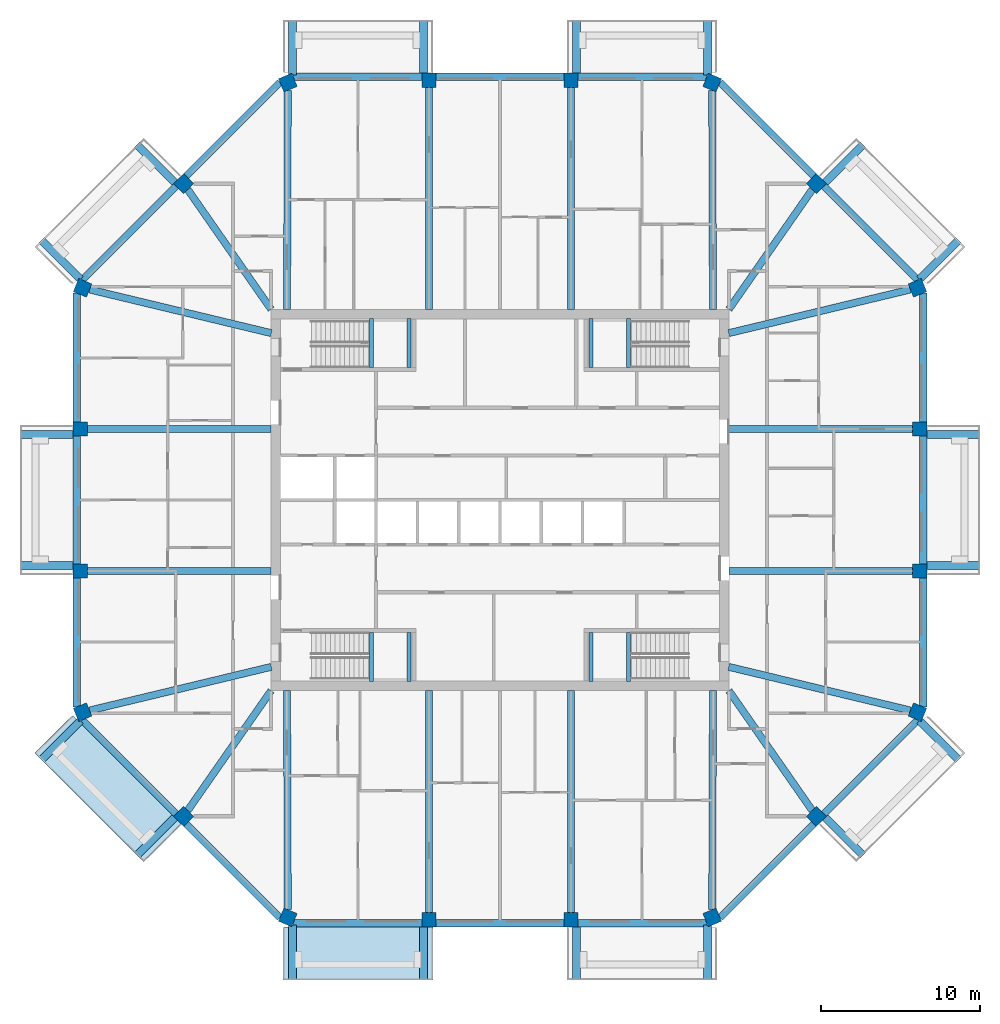
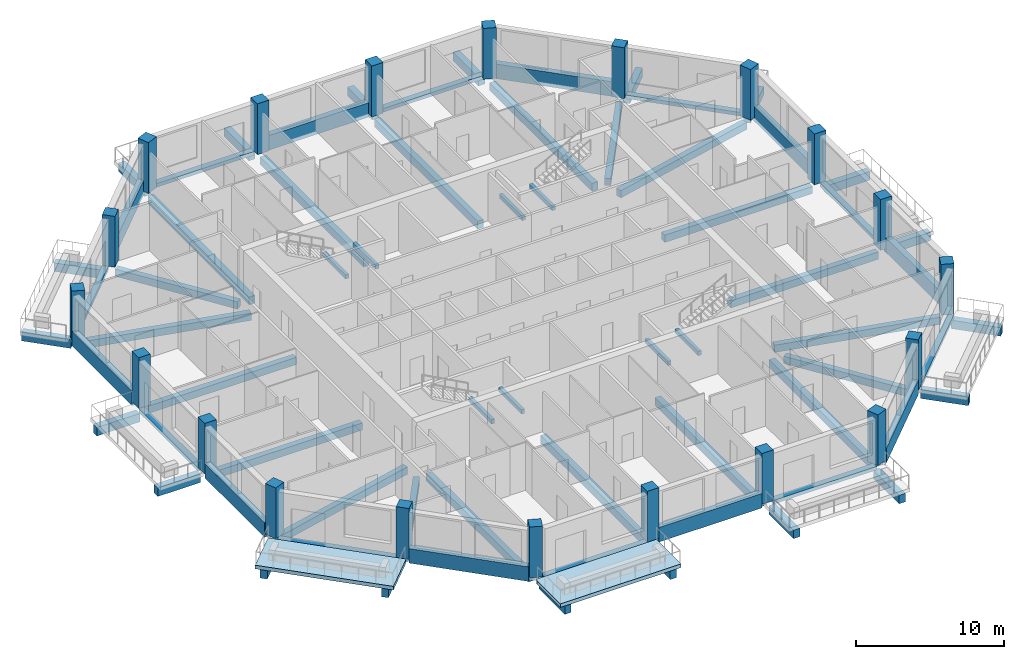
# One storey, part 1 of 13: 68 beams, 20 columns, 2 slabs.
"""IFC4 building model written with IfcOpenShell, lengths in metres."""

from ifc_helpers import new_model, si_unit, direction, frame, origin, origin_2d, place, context, subcontext, project, spatial, polyline, rectangle, outline, extrude, material, layer, layer_set, material_profile, profile_set, type_object, element, save


model = new_model("IFC4")

# Units and contexts
model_context = context("Model", 3, precision=1e-05, world=origin(), true_north=direction((0.0, 1.0)))
body_context = subcontext(model_context, "Body", "Model", "MODEL_VIEW")
ifc_project = project(units=[si_unit("LENGTHUNIT", "METRE"), si_unit("AREAUNIT", "SQUARE_METRE"), si_unit("VOLUMEUNIT", "CUBIC_METRE"), si_unit("PLANEANGLEUNIT", "RADIAN"), si_unit("MASSUNIT", "GRAM", prefix="KILO")], contexts=[model_context])

# Site, building, storey
site_placement = place(None, origin())
site = spatial("IfcSite", under=ifc_project, at=site_placement, CompositionType="ELEMENT")
building_placement = place(site_placement, origin())
building = spatial("IfcBuilding", under=site, at=building_placement, Name="Msitu Wima Residences", CompositionType="ELEMENT")
storey_placement = place(building_placement, frame((0.0, 0.0, 281.10009765625)))
storey = spatial("IfcBuildingStorey", under=building, at=storey_placement, Name="L65", CompositionType="ELEMENT", Elevation=281.10009765625)

# Columns
ifc_material_1 = material(Name="Concrete C50/60", Category="concrete")
ifc_material_profile_1 = material_profile(ifc_material_1, rectangle(XDim=0.89990234375, YDim=0.89990234375, at=origin_2d()), Name="RC 900x900")
ifc_profile_set_1 = profile_set([ifc_material_profile_1], Name="Concrete C50/60")
column_type = type_object("IfcColumnType", Name="Column RC 900x900 Concrete C50/60", PredefinedType="COLUMN", material=ifc_profile_set_1)
for number, where, z_axis, x_axis, name in (
    (1, (26.261962890625, -13.3486328125, 0.0), (0.0, 0.0, 1.0), (0.382683496864, 0.923879505795, 0.0), "Column L65 C-E0"),
    (2, (26.39990234375, -4.46875, 0.0), (0.0, 0.0, 1.0), (0.0, 1.0, 0.0), "Column L65 C-E1"),
    (3, (26.39990234375, 4.46875, 0.0), (0.0, 0.0, 1.0), (0.0, 1.0, 0.0), "Column L65 C-E2"),
    (4, (26.261962890625, 13.3486328125, 0.0), (0.0, 0.0, 1.0), (-0.382683496864, 0.923879505795, 0.0), "Column L65 C-NE0"),
    (5, (19.90283203125, 19.90283203125, 0.0), (0.0, 0.0, 1.0), (-0.707106781187, 0.707106781187, 0.0), "Column L65 C-NE1"),
    (6, (13.3486328125, 26.261962890625, 0.0), (0.0, 0.0, 1.0), (-0.923879505795, 0.382683496864, 0.0), "Column L65 C-N0"),
    (7, (4.46875, 26.39990234375, 0.0), (0.0, 0.0, 1.0), (-1.0, 0.0, 0.0), "Column L65 C-N1"),
    (8, (-4.46875, 26.39990234375, 0.0), (0.0, 0.0, 1.0), (-1.0, 0.0, 0.0), "Column L65 C-N2"),
    (9, (-13.3486328125, 26.261962890625, 0.0), (0.0, 0.0, 1.0), (-0.923879505795, -0.382683496864, 0.0), "Column L65 C-NW0"),
    (10, (-19.90283203125, 19.90283203125, 0.0), (0.0, 0.0, 1.0), (-0.707106781187, -0.707106781187, 0.0), "Column L65 C-NW1"),
    (11, (-26.261962890625, 13.3486328125, 0.0), (0.0, 0.0, 1.0), (-0.382683496864, -0.923879505795, 0.0), "Column L65 C-W0"),
    (12, (-26.39990234375, 4.46875, 0.0), (0.0, 0.0, 1.0), (0.0, -1.0, 0.0), "Column L65 C-W1"),
    (13, (-26.39990234375, -4.46875, 0.0), (0.0, 0.0, 1.0), (0.0, -1.0, 0.0), "Column L65 C-W2"),
    (14, (-26.261962890625, -13.3486328125, 0.0), (0.0, 0.0, 1.0), (0.382683496864, -0.923879505795, 0.0), "Column L65 C-SW0"),
    (15, (-19.90283203125, -19.90283203125, 0.0), (0.0, 0.0, 1.0), (0.707106781187, -0.707106781187, 0.0), "Column L65 C-SW1"),
    (16, (-13.3486328125, -26.261962890625, 0.0), (0.0, 0.0, 1.0), (0.923879505795, -0.382683496864, 0.0), "Column L65 C-S0"),
    (17, (-4.46875, -26.39990234375, 0.0), (0.0, 0.0, 1.0), (1.0, 0.0, 0.0), "Column L65 C-S1"),
    (18, (4.46875, -26.39990234375, 0.0), (0.0, 0.0, 1.0), (1.0, 0.0, 0.0), "Column L65 C-S2"),
    (19, (13.3486328125, -26.261962890625, 0.0), (0.0, 0.0, 1.0), (0.923879505795, 0.382683496864, 0.0), "Column L65 C-SE0"),
    (20, (19.90283203125, -19.90283203125, 0.0), (0.0, 0.0, 1.0), (0.707106781187, 0.707106781187, 0.0), "Column L65 C-SE1"),
):
    element("IfcColumn", number, at=place(storey_placement, frame(where, z_axis=z_axis, x_axis=x_axis)), inside=storey, type_object=column_type, Name=name, PredefinedType="COLUMN", context=body_context, shape_type="SweptSolid", body=[
        extrude(rectangle(XDim=0.89990234375, YDim=0.89990234375, at=origin_2d()), origin(), (0.0, 0.0, 1.0), 4.199951171875),
    ])

# Beams
ifc_material_profile_2 = material_profile(ifc_material_1, rectangle(XDim=0.449951171875, YDim=0.60009765625, at=origin_2d()), Name="RC 450x600")
ifc_profile_set_2 = profile_set([ifc_material_profile_2], Name="Concrete C50/60")
beam_type_1 = type_object("IfcBeamType", Name="Beam RC 450x600 Concrete C50/60", PredefinedType="BEAM", material=ifc_profile_set_2)
beam_1_placement = place(storey_placement, frame((25.819091796875, -13.242431640625, -0.550048828125), z_axis=(-0.972353359268, 0.233514335148, 0.0), x_axis=(-0.233514335148, -0.972353359268, 0.0)))
element("IfcBeam", 21, at=beam_1_placement, inside=storey, type_object=beam_type_1, Name="Beam L65 C-E0", PredefinedType="BEAM", context=body_context, shape_type="SweptSolid", body=[
    extrude(rectangle(XDim=0.449951171875, YDim=0.60009765625, at=origin_2d()), origin(), (0.0, 0.0, 1.0), 11.755615234375),
])
for number, where, z_axis, x_axis, name in (
    (22, (25.949951171875, -4.46875, -0.550048828125), (-1.0, 0.0, 0.0), (0.0, -1.0, 0.0), "Beam L65 C-E1"),
    (23, (25.949951171875, 4.46875, -0.550048828125), (-1.0, 0.0, 0.0), (0.0, -1.0, 0.0), "Beam L65 C-E2"),
):
    element("IfcBeam", number, at=place(storey_placement, frame(where, z_axis=z_axis, x_axis=x_axis)), inside=storey, type_object=beam_type_1, Name=name, PredefinedType="BEAM", context=body_context, shape_type="SweptSolid", body=[
        extrude(rectangle(XDim=0.449951171875, YDim=0.60009765625, at=origin_2d()), origin(), (0.0, 0.0, 1.0), 11.550048828125),
    ])
beam_2_placement = place(storey_placement, frame((25.819091796875, 13.242431640625, -0.550048828125), z_axis=(-0.972353359268, -0.233514335148, 0.0), x_axis=(0.233514335148, -0.972353359268, 0.0)))
element("IfcBeam", 24, at=beam_2_placement, inside=storey, type_object=beam_type_1, Name="Beam L65 C-NE0", PredefinedType="BEAM", context=body_context, shape_type="SweptSolid", body=[
    extrude(rectangle(XDim=0.449951171875, YDim=0.60009765625, at=origin_2d()), origin(), (0.0, 0.0, 1.0), 11.755615234375),
])
for number, where, z_axis, x_axis, name in (
    (25, (19.6416015625, 19.52783203125, -0.550048828125), (-0.571427822633, -0.820652328042, 0.0), (0.820652328042, -0.571427822633, 0.0), "Beam L65 C-NE1"),
    (26, (-19.6416015625, 19.52783203125, -0.550048828125), (0.571427822633, -0.820652328042, 0.0), (0.820652328042, 0.571427822633, 0.0), "Beam L65 C-NW1"),
):
    element("IfcBeam", number, at=place(storey_placement, frame(where, z_axis=z_axis, x_axis=x_axis)), inside=storey, type_object=beam_type_1, Name=name, PredefinedType="BEAM", context=body_context, shape_type="SweptSolid", body=[
        extrude(rectangle(XDim=0.449951171875, YDim=0.60009765625, at=origin_2d()), origin(), (0.0, 0.0, 1.0), 9.173095703125),
    ])
beam_3_placement = place(storey_placement, frame((-25.819091796875, 13.242431640625, -0.550048828125), z_axis=(0.972353359268, -0.233514335148, 0.0), x_axis=(0.233514335148, 0.972353359268, 0.0)))
element("IfcBeam", 27, at=beam_3_placement, inside=storey, type_object=beam_type_1, Name="Beam L65 C-W0", PredefinedType="BEAM", context=body_context, shape_type="SweptSolid", body=[
    extrude(rectangle(XDim=0.449951171875, YDim=0.60009765625, at=origin_2d()), origin(), (0.0, 0.0, 1.0), 11.755615234375),
])
for number, where, z_axis, x_axis, name in (
    (28, (-25.949951171875, 4.46875, -0.550048828125), (1.0, 0.0, 0.0), (0.0, 1.0, 0.0), "Beam L65 C-W1"),
    (29, (-25.949951171875, -4.46875, -0.550048828125), (1.0, 0.0, 0.0), (0.0, 1.0, 0.0), "Beam L65 C-W2"),
):
    element("IfcBeam", number, at=place(storey_placement, frame(where, z_axis=z_axis, x_axis=x_axis)), inside=storey, type_object=beam_type_1, Name=name, PredefinedType="BEAM", context=body_context, shape_type="SweptSolid", body=[
        extrude(rectangle(XDim=0.449951171875, YDim=0.60009765625, at=origin_2d()), origin(), (0.0, 0.0, 1.0), 11.550048828125),
    ])
beam_4_placement = place(storey_placement, frame((-25.819091796875, -13.242431640625, -0.550048828125), z_axis=(0.972353359268, 0.233514335148, 0.0), x_axis=(-0.233514335148, 0.972353359268, 0.0)))
element("IfcBeam", 30, at=beam_4_placement, inside=storey, type_object=beam_type_1, Name="Beam L65 C-SW0", PredefinedType="BEAM", context=body_context, shape_type="SweptSolid", body=[
    extrude(rectangle(XDim=0.449951171875, YDim=0.60009765625, at=origin_2d()), origin(), (0.0, 0.0, 1.0), 11.755615234375),
])
for number, where, z_axis, x_axis, name in (
    (31, (-19.6416015625, -19.52783203125, -0.550048828125), (0.571427822633, 0.820652328042, 0.0), (-0.820652328042, 0.571427822633, 0.0), "Beam L65 C-SW1"),
    (32, (19.6416015625, -19.52783203125, -0.550048828125), (-0.571427822633, 0.820652328042, 0.0), (-0.820652328042, -0.571427822633, 0.0), "Beam L65 C-SE1"),
):
    element("IfcBeam", number, at=place(storey_placement, frame(where, z_axis=z_axis, x_axis=x_axis)), inside=storey, type_object=beam_type_1, Name=name, PredefinedType="BEAM", context=body_context, shape_type="SweptSolid", body=[
        extrude(rectangle(XDim=0.449951171875, YDim=0.60009765625, at=origin_2d()), origin(), (0.0, 0.0, 1.0), 9.173095703125),
    ])
ifc_material_profile_3 = material_profile(ifc_material_1, rectangle(XDim=0.449951171875, YDim=0.64990234375, at=origin_2d()), Name="RC 450x650")
ifc_profile_set_3 = profile_set([ifc_material_profile_3], Name="Concrete C50/60")
beam_type_2 = type_object("IfcBeamType", Name="Beam RC 450x650 Concrete C50/60", PredefinedType="BEAM", material=ifc_profile_set_3)
beam_5_placement = place(storey_placement, frame((13.3505859375, 25.774169921875, -0.5751953125), z_axis=(0.003594933206, -0.999993538207, 0.0), x_axis=(0.999993538207, 0.003594933206, 0.0)))
element("IfcBeam", 33, at=beam_5_placement, inside=storey, type_object=beam_type_2, Name="Beam L65 C-N0", PredefinedType="BEAM", context=body_context, shape_type="SweptSolid", body=[
    extrude(rectangle(XDim=0.449951171875, YDim=0.64990234375, at=origin_2d()), origin(), (0.0, 0.0, 1.0), 13.7861328125),
])
for number, where, z_axis, x_axis, name in (
    (34, (4.46875, 25.949951171875, -0.5751953125), (0.0, -1.0, 0.0), (1.0, 0.0, 0.0), "Beam L65 C-N1"),
    (35, (-4.46875, 25.949951171875, -0.5751953125), (0.0, -1.0, 0.0), (1.0, 0.0, 0.0), "Beam L65 C-N2"),
):
    element("IfcBeam", number, at=place(storey_placement, frame(where, z_axis=z_axis, x_axis=x_axis)), inside=storey, type_object=beam_type_2, Name=name, PredefinedType="BEAM", context=body_context, shape_type="SweptSolid", body=[
        extrude(rectangle(XDim=0.449951171875, YDim=0.64990234375, at=origin_2d()), origin(), (0.0, 0.0, 1.0), 13.949951171875),
    ])
for number, where, z_axis, x_axis, name in (
    (36, (-13.3505859375, 25.774169921875, -0.5751953125), (-0.003594933206, -0.999993538207, 0.0), (0.999993538207, -0.003594933206, 0.0), "Beam L65 C-NW0"),
    (37, (-13.3505859375, -25.774169921875, -0.5751953125), (-0.003594933206, 0.999993538207, 0.0), (-0.999993538207, -0.003594933206, 0.0), "Beam L65 C-S0"),
):
    element("IfcBeam", number, at=place(storey_placement, frame(where, z_axis=z_axis, x_axis=x_axis)), inside=storey, type_object=beam_type_2, Name=name, PredefinedType="BEAM", context=body_context, shape_type="SweptSolid", body=[
        extrude(rectangle(XDim=0.449951171875, YDim=0.64990234375, at=origin_2d()), origin(), (0.0, 0.0, 1.0), 13.7861328125),
    ])
for number, where, z_axis, x_axis, name in (
    (38, (-4.46875, -25.949951171875, -0.5751953125), (0.0, 1.0, 0.0), (-1.0, 0.0, 0.0), "Beam L65 C-S1"),
    (39, (4.46875, -25.949951171875, -0.5751953125), (0.0, 1.0, 0.0), (-1.0, 0.0, 0.0), "Beam L65 C-S2"),
):
    element("IfcBeam", number, at=place(storey_placement, frame(where, z_axis=z_axis, x_axis=x_axis)), inside=storey, type_object=beam_type_2, Name=name, PredefinedType="BEAM", context=body_context, shape_type="SweptSolid", body=[
        extrude(rectangle(XDim=0.449951171875, YDim=0.64990234375, at=origin_2d()), origin(), (0.0, 0.0, 1.0), 13.949951171875),
    ])
beam_6_placement = place(storey_placement, frame((13.3505859375, -25.774169921875, -0.5751953125), z_axis=(0.003594933206, 0.999993538207, 0.0), x_axis=(-0.999993538207, 0.003594933206, 0.0)))
element("IfcBeam", 40, at=beam_6_placement, inside=storey, type_object=beam_type_2, Name="Beam L65 C-SE0", PredefinedType="BEAM", context=body_context, shape_type="SweptSolid", body=[
    extrude(rectangle(XDim=0.449951171875, YDim=0.64990234375, at=origin_2d()), origin(), (0.0, 0.0, 1.0), 13.7861328125),
])
ifc_material_profile_4 = material_profile(ifc_material_1, rectangle(XDim=0.5, YDim=0.699951171875, at=origin_2d()), Name="RC 500x700")
ifc_profile_set_4 = profile_set([ifc_material_profile_4], Name="Concrete C50/60")
beam_type_3 = type_object("IfcBeamType", Name="Cantilever beam RC 500x700 Concrete C50/60", PredefinedType="BEAM", material=ifc_profile_set_4)
for number, where, z_axis, x_axis, name in (
    (41, (26.85009765625, -4.11865234375, -0.650146484375), (1.0, 0.0, 0.0), (0.0, 1.0, 0.0), "Cantilever beam L65 BA-E1 A"),
    (42, (26.85009765625, 4.11865234375, -0.650146484375), (1.0, 0.0, 0.0), (0.0, 1.0, 0.0), "Cantilever beam L65 BA-E1 B"),
):
    element("IfcBeam", number, at=place(storey_placement, frame(where, z_axis=z_axis, x_axis=x_axis)), inside=storey, type_object=beam_type_3, Name=name, PredefinedType="BEAM", context=body_context, shape_type="SweptSolid", body=[
        extrude(rectangle(XDim=0.5, YDim=0.699951171875, at=origin_2d()), origin(), (0.0, 0.0, 1.0), 3.349853515625),
    ])
beam_7_placement = place(storey_placement, frame((26.386474609375, 13.887451171875, -0.650146484375), z_axis=(0.707141968506, 0.707071592116, 0.0), x_axis=(-0.707071592116, 0.707141968506, 0.0)))
element("IfcBeam", 43, at=beam_7_placement, inside=storey, type_object=beam_type_3, Name="Cantilever beam L65 BA-NE0 A", PredefinedType="BEAM", context=body_context, shape_type="SweptSolid", body=[
    extrude(rectangle(XDim=0.5, YDim=0.699951171875, at=origin_2d()), origin(), (0.0, 0.0, 1.0), 3.468994140625),
])
beam_8_placement = place(storey_placement, frame((20.46875, 19.9736328125, -0.650146484375), z_axis=(0.707070340836, 0.707143219659, 0.0), x_axis=(-0.707143219659, 0.707070340836, 0.0)))
element("IfcBeam", 44, at=beam_8_placement, inside=storey, type_object=beam_type_3, Name="Cantilever beam L65 BA-NE0 B", PredefinedType="BEAM", context=body_context, shape_type="SweptSolid", body=[
    extrude(rectangle(XDim=0.5, YDim=0.699951171875, at=origin_2d()), origin(), (0.0, 0.0, 1.0), 3.349853515625),
])
beam_9_placement = place(storey_placement, frame((13.055908203125, 26.73095703125, -0.650146484375), z_axis=(0.0, 1.0, 0.0), x_axis=(-1.0, 0.0, 0.0)))
element("IfcBeam", 45, at=beam_9_placement, inside=storey, type_object=beam_type_3, Name="Cantilever beam L65 BA-N0 A", PredefinedType="BEAM", context=body_context, shape_type="SweptSolid", body=[
    extrude(rectangle(XDim=0.5, YDim=0.699951171875, at=origin_2d()), origin(), (0.0, 0.0, 1.0), 3.468994140625),
])
for number, where, z_axis, x_axis, name in (
    (46, (4.818603515625, 26.85009765625, -0.650146484375), (0.0, 1.0, 0.0), (-1.0, 0.0, 0.0), "Cantilever beam L65 BA-N0 B"),
    (47, (-4.818603515625, 26.85009765625, -0.650146484375), (0.0, 1.0, 0.0), (-1.0, 0.0, 0.0), "Cantilever beam L65 BA-N2 A"),
):
    element("IfcBeam", number, at=place(storey_placement, frame(where, z_axis=z_axis, x_axis=x_axis)), inside=storey, type_object=beam_type_3, Name=name, PredefinedType="BEAM", context=body_context, shape_type="SweptSolid", body=[
        extrude(rectangle(XDim=0.5, YDim=0.699951171875, at=origin_2d()), origin(), (0.0, 0.0, 1.0), 3.349853515625),
    ])
beam_10_placement = place(storey_placement, frame((-13.055908203125, 26.73095703125, -0.650146484375), z_axis=(0.0, 1.0, 0.0), x_axis=(-1.0, 0.0, 0.0)))
element("IfcBeam", 48, at=beam_10_placement, inside=storey, type_object=beam_type_3, Name="Cantilever beam L65 BA-N2 B", PredefinedType="BEAM", context=body_context, shape_type="SweptSolid", body=[
    extrude(rectangle(XDim=0.5, YDim=0.699951171875, at=origin_2d()), origin(), (0.0, 0.0, 1.0), 3.468994140625),
])
beam_11_placement = place(storey_placement, frame((-20.46875, 19.9736328125, -0.650146484375), z_axis=(-0.707070340836, 0.707143219659, 0.0), x_axis=(-0.707143219659, -0.707070340836, 0.0)))
element("IfcBeam", 49, at=beam_11_placement, inside=storey, type_object=beam_type_3, Name="Cantilever beam L65 BA-NW1 A", PredefinedType="BEAM", context=body_context, shape_type="SweptSolid", body=[
    extrude(rectangle(XDim=0.5, YDim=0.699951171875, at=origin_2d()), origin(), (0.0, 0.0, 1.0), 3.349853515625),
])
beam_12_placement = place(storey_placement, frame((-26.386474609375, 13.887451171875, -0.650146484375), z_axis=(-0.707141968506, 0.707071592116, 0.0), x_axis=(-0.707071592116, -0.707141968506, 0.0)))
element("IfcBeam", 50, at=beam_12_placement, inside=storey, type_object=beam_type_3, Name="Cantilever beam L65 BA-NW1 B", PredefinedType="BEAM", context=body_context, shape_type="SweptSolid", body=[
    extrude(rectangle(XDim=0.5, YDim=0.699951171875, at=origin_2d()), origin(), (0.0, 0.0, 1.0), 3.468994140625),
])
for number, where, z_axis, x_axis, name in (
    (51, (-26.85009765625, 4.11865234375, -0.650146484375), (-1.0, 0.0, 0.0), (0.0, -1.0, 0.0), "Cantilever beam L65 BA-W1 A"),
    (52, (-26.85009765625, -4.11865234375, -0.650146484375), (-1.0, 0.0, 0.0), (0.0, -1.0, 0.0), "Cantilever beam L65 BA-W1 B"),
):
    element("IfcBeam", number, at=place(storey_placement, frame(where, z_axis=z_axis, x_axis=x_axis)), inside=storey, type_object=beam_type_3, Name=name, PredefinedType="BEAM", context=body_context, shape_type="SweptSolid", body=[
        extrude(rectangle(XDim=0.5, YDim=0.699951171875, at=origin_2d()), origin(), (0.0, 0.0, 1.0), 3.349853515625),
    ])
beam_13_placement = place(storey_placement, frame((-26.386474609375, -13.887451171875, -0.650146484375), z_axis=(-0.707141968506, -0.707071592116, 0.0), x_axis=(0.707071592116, -0.707141968506, 0.0)))
element("IfcBeam", 53, at=beam_13_placement, inside=storey, type_object=beam_type_3, Name="Cantilever beam L65 BA-SW0 A", PredefinedType="BEAM", context=body_context, shape_type="SweptSolid", body=[
    extrude(rectangle(XDim=0.5, YDim=0.699951171875, at=origin_2d()), origin(), (0.0, 0.0, 1.0), 3.468994140625),
])
beam_14_placement = place(storey_placement, frame((-20.46875, -19.9736328125, -0.650146484375), z_axis=(-0.707070340836, -0.707143219659, 0.0), x_axis=(0.707143219659, -0.707070340836, 0.0)))
element("IfcBeam", 54, at=beam_14_placement, inside=storey, type_object=beam_type_3, Name="Cantilever beam L65 BA-SW0 B", PredefinedType="BEAM", context=body_context, shape_type="SweptSolid", body=[
    extrude(rectangle(XDim=0.5, YDim=0.699951171875, at=origin_2d()), origin(), (0.0, 0.0, 1.0), 3.349853515625),
])
beam_15_placement = place(storey_placement, frame((-13.055908203125, -26.73095703125, -0.650146484375), z_axis=(0.0, -1.0, 0.0), x_axis=(1.0, 0.0, 0.0)))
element("IfcBeam", 55, at=beam_15_placement, inside=storey, type_object=beam_type_3, Name="Cantilever beam L65 BA-S0 A", PredefinedType="BEAM", context=body_context, shape_type="SweptSolid", body=[
    extrude(rectangle(XDim=0.5, YDim=0.699951171875, at=origin_2d()), origin(), (0.0, 0.0, 1.0), 3.468994140625),
])
for number, where, z_axis, x_axis, name in (
    (56, (-4.818603515625, -26.85009765625, -0.650146484375), (0.0, -1.0, 0.0), (1.0, 0.0, 0.0), "Cantilever beam L65 BA-S0 B"),
    (57, (4.818603515625, -26.85009765625, -0.650146484375), (0.0, -1.0, 0.0), (1.0, 0.0, 0.0), "Cantilever beam L65 BA-S2 A"),
):
    element("IfcBeam", number, at=place(storey_placement, frame(where, z_axis=z_axis, x_axis=x_axis)), inside=storey, type_object=beam_type_3, Name=name, PredefinedType="BEAM", context=body_context, shape_type="SweptSolid", body=[
        extrude(rectangle(XDim=0.5, YDim=0.699951171875, at=origin_2d()), origin(), (0.0, 0.0, 1.0), 3.349853515625),
    ])
beam_16_placement = place(storey_placement, frame((13.055908203125, -26.73095703125, -0.650146484375), z_axis=(0.0, -1.0, 0.0), x_axis=(1.0, 0.0, 0.0)))
element("IfcBeam", 58, at=beam_16_placement, inside=storey, type_object=beam_type_3, Name="Cantilever beam L65 BA-S2 B", PredefinedType="BEAM", context=body_context, shape_type="SweptSolid", body=[
    extrude(rectangle(XDim=0.5, YDim=0.699951171875, at=origin_2d()), origin(), (0.0, 0.0, 1.0), 3.468994140625),
])
beam_17_placement = place(storey_placement, frame((20.46875, -19.9736328125, -0.650146484375), z_axis=(0.707070340836, -0.707143219659, 0.0), x_axis=(0.707143219659, 0.707070340836, 0.0)))
element("IfcBeam", 59, at=beam_17_placement, inside=storey, type_object=beam_type_3, Name="Cantilever beam L65 BA-SE1 A", PredefinedType="BEAM", context=body_context, shape_type="SweptSolid", body=[
    extrude(rectangle(XDim=0.5, YDim=0.699951171875, at=origin_2d()), origin(), (0.0, 0.0, 1.0), 3.349853515625),
])
beam_18_placement = place(storey_placement, frame((26.386474609375, -13.887451171875, -0.650146484375), z_axis=(0.707141968506, -0.707071592116, 0.0), x_axis=(0.707071592116, 0.707141968506, 0.0)))
element("IfcBeam", 60, at=beam_18_placement, inside=storey, type_object=beam_type_3, Name="Cantilever beam L65 BA-SE1 B", PredefinedType="BEAM", context=body_context, shape_type="SweptSolid", body=[
    extrude(rectangle(XDim=0.5, YDim=0.699951171875, at=origin_2d()), origin(), (0.0, 0.0, 1.0), 3.468994140625),
])
ifc_material_profile_5 = material_profile(ifc_material_1, rectangle(XDim=0.449951171875, YDim=0.300048828125, at=origin_2d()), Name="RC 450x300")
ifc_profile_set_5 = profile_set([ifc_material_profile_5], Name="Concrete C50/60")
beam_type_4 = type_object("IfcBeamType", Name="Edge beam RC 450x300 Concrete C50/60", PredefinedType="SPANDREL", material=ifc_profile_set_5)
beam_19_placement = place(storey_placement, frame((26.625, -4.0185546875, -0.150146484375), z_axis=(0.0, 1.0, 0.0), x_axis=(-1.0, 0.0, 0.0)))
element("IfcBeam", 61, at=beam_19_placement, inside=storey, type_object=beam_type_4, Name="Spandrel L65 E1", PredefinedType="SPANDREL", context=body_context, shape_type="SweptSolid", body=[
    extrude(rectangle(XDim=0.449951171875, YDim=0.300048828125, at=origin_2d()), origin(), (0.0, 0.0, 1.0), 8.037109375),
])
beam_20_placement = place(storey_placement, frame((26.2890625, 13.8349609375, -0.150146484375), z_axis=(-0.707106781187, 0.707106781187, 0.0), x_axis=(-0.707106781187, -0.707106781187, 0.0)))
element("IfcBeam", 62, at=beam_20_placement, inside=storey, type_object=beam_type_4, Name="Spandrel L65 NE0", PredefinedType="SPANDREL", context=body_context, shape_type="SweptSolid", body=[
    extrude(rectangle(XDim=0.449951171875, YDim=0.300048828125, at=origin_2d()), origin(), (0.0, 0.0, 1.0), 8.3564453125),
])
for number, where, z_axis, x_axis, name in (
    (63, (13.02392578125, 26.625, -0.150146484375), (-1.0, 0.0, 0.0), (0.0, -1.0, 0.0), "Spandrel L65 N0"),
    (64, (-4.918701171875, 26.625, -0.150146484375), (-1.0, 0.0, 0.0), (0.0, -1.0, 0.0), "Spandrel L65 N2"),
):
    element("IfcBeam", number, at=place(storey_placement, frame(where, z_axis=z_axis, x_axis=x_axis)), inside=storey, type_object=beam_type_4, Name=name, PredefinedType="SPANDREL", context=body_context, shape_type="SweptSolid", body=[
        extrude(rectangle(XDim=0.449951171875, YDim=0.300048828125, at=origin_2d()), origin(), (0.0, 0.0, 1.0), 8.105224609375),
    ])
beam_21_placement = place(storey_placement, frame((-20.380126953125, 19.743896484375, -0.150146484375), z_axis=(-0.707106781187, -0.707106781187, 0.0), x_axis=(0.707106781187, -0.707106781187, 0.0)))
element("IfcBeam", 65, at=beam_21_placement, inside=storey, type_object=beam_type_4, Name="Spandrel L65 NW1", PredefinedType="SPANDREL", context=body_context, shape_type="SweptSolid", body=[
    extrude(rectangle(XDim=0.449951171875, YDim=0.300048828125, at=origin_2d()), origin(), (0.0, 0.0, 1.0), 8.3564453125),
])
beam_22_placement = place(storey_placement, frame((-26.625, 4.0185546875, -0.150146484375), z_axis=(0.0, -1.0, 0.0), x_axis=(1.0, 0.0, 0.0)))
element("IfcBeam", 66, at=beam_22_placement, inside=storey, type_object=beam_type_4, Name="Spandrel L65 W1", PredefinedType="SPANDREL", context=body_context, shape_type="SweptSolid", body=[
    extrude(rectangle(XDim=0.449951171875, YDim=0.300048828125, at=origin_2d()), origin(), (0.0, 0.0, 1.0), 8.037109375),
])
beam_23_placement = place(storey_placement, frame((-26.2890625, -13.8349609375, -0.150146484375), z_axis=(0.707106781187, -0.707106781187, 0.0), x_axis=(0.707106781187, 0.707106781187, 0.0)))
element("IfcBeam", 67, at=beam_23_placement, inside=storey, type_object=beam_type_4, Name="Spandrel L65 SW0", PredefinedType="SPANDREL", context=body_context, shape_type="SweptSolid", body=[
    extrude(rectangle(XDim=0.449951171875, YDim=0.300048828125, at=origin_2d()), origin(), (0.0, 0.0, 1.0), 8.3564453125),
])
for number, where, z_axis, x_axis, name in (
    (68, (-13.02392578125, -26.625, -0.150146484375), (1.0, 0.0, 0.0), (0.0, 1.0, 0.0), "Spandrel L65 S0"),
    (69, (4.918701171875, -26.625, -0.150146484375), (1.0, 0.0, 0.0), (0.0, 1.0, 0.0), "Spandrel L65 S2"),
):
    element("IfcBeam", number, at=place(storey_placement, frame(where, z_axis=z_axis, x_axis=x_axis)), inside=storey, type_object=beam_type_4, Name=name, PredefinedType="SPANDREL", context=body_context, shape_type="SweptSolid", body=[
        extrude(rectangle(XDim=0.449951171875, YDim=0.300048828125, at=origin_2d()), origin(), (0.0, 0.0, 1.0), 8.105224609375),
    ])
beam_24_placement = place(storey_placement, frame((20.380126953125, -19.743896484375, -0.150146484375), z_axis=(0.707106781187, 0.707106781187, 0.0), x_axis=(-0.707106781187, 0.707106781187, 0.0)))
element("IfcBeam", 70, at=beam_24_placement, inside=storey, type_object=beam_type_4, Name="Spandrel L65 SE1", PredefinedType="SPANDREL", context=body_context, shape_type="SweptSolid", body=[
    extrude(rectangle(XDim=0.449951171875, YDim=0.300048828125, at=origin_2d()), origin(), (0.0, 0.0, 1.0), 8.3564453125),
])
ifc_material_2 = material(Name="Concrete C40/50", Category="concrete")
ifc_material_profile_6 = material_profile(ifc_material_2, rectangle(XDim=0.25, YDim=0.35009765625, at=origin_2d()), Name="RC 250x350")
ifc_profile_set_6 = profile_set([ifc_material_profile_6], Name="Concrete C40/50")
beam_type_5 = type_object("IfcBeamType", Name="Landing beam RC 250x350", PredefinedType="BEAM", material=ifc_profile_set_6)
for number, where, z_axis, x_axis, name in (
    (71, (-8.074951171875, 8.324951171875, 1.724853515625), (0.0, 1.0, 0.0), (-1.0, 0.0, 0.0), "Stair 1 landing beam"),
    (72, (-5.72509765625, 8.324951171875, 1.724853515625), (0.0, 1.0, 0.0), (-1.0, 0.0, 0.0), "Stair 1 landing beam"),
    (73, (-8.074951171875, -11.425048828125, 1.724853515625), (0.0, 1.0, 0.0), (-1.0, 0.0, 0.0), "Stair 2 landing beam"),
    (74, (-5.72509765625, -11.425048828125, 1.724853515625), (0.0, 1.0, 0.0), (-1.0, 0.0, 0.0), "Stair 2 landing beam"),
    (75, (8.074951171875, 8.324951171875, 1.724853515625), (0.0, 1.0, 0.0), (-1.0, 0.0, 0.0), "Stair 3 landing beam"),
    (76, (5.72509765625, 8.324951171875, 1.724853515625), (0.0, 1.0, 0.0), (-1.0, 0.0, 0.0), "Stair 3 landing beam"),
    (77, (8.074951171875, -11.425048828125, 1.724853515625), (0.0, 1.0, 0.0), (-1.0, 0.0, 0.0), "Stair 4 landing beam"),
    (78, (5.72509765625, -11.425048828125, 1.724853515625), (0.0, 1.0, 0.0), (-1.0, 0.0, 0.0), "Stair 4 landing beam"),
):
    element("IfcBeam", number, at=place(storey_placement, frame(where, z_axis=z_axis, x_axis=x_axis)), inside=storey, type_object=beam_type_5, Name=name, PredefinedType="BEAM", context=body_context, shape_type="SweptSolid", body=[
        extrude(rectangle(XDim=0.25, YDim=0.35009765625, at=origin_2d()), origin(), (0.0, 0.0, 1.0), 3.10009765625),
    ])
ifc_material_profile_7 = material_profile(ifc_material_1, rectangle(XDim=0.449951171875, YDim=1.199951171875, at=origin_2d()), Name="RC 450x1200")
ifc_profile_set_7 = profile_set([ifc_material_profile_7], Name="Concrete C50/60")
beam_type_6 = type_object("IfcBeamType", Name="Spandrel RC 450x1200 Concrete C50/60", PredefinedType="SPANDREL", material=ifc_profile_set_7)
for number, where, z_axis, x_axis, name in (
    (79, (26.625, -13.02392578125, 0.2998046875), (0.0, 1.0, 0.0), (-1.0, 0.0, 0.0), "Spandrel L65 E0"),
    (80, (26.625, 4.918701171875, 0.2998046875), (0.0, 1.0, 0.0), (-1.0, 0.0, 0.0), "Spandrel L65 E2"),
):
    element("IfcBeam", number, at=place(storey_placement, frame(where, z_axis=z_axis, x_axis=x_axis)), inside=storey, type_object=beam_type_6, Name=name, PredefinedType="SPANDREL", context=body_context, shape_type="SweptSolid", body=[
        extrude(rectangle(XDim=0.449951171875, YDim=1.199951171875, at=origin_2d()), origin(), (0.0, 0.0, 1.0), 8.105224609375),
    ])
beam_25_placement = place(storey_placement, frame((19.743896484375, 20.380126953125, 0.2998046875), z_axis=(-0.707106781187, 0.707106781187, 0.0), x_axis=(-0.707106781187, -0.707106781187, 0.0)))
element("IfcBeam", 81, at=beam_25_placement, inside=storey, type_object=beam_type_6, Name="Spandrel L65 NE1", PredefinedType="SPANDREL", context=body_context, shape_type="SweptSolid", body=[
    extrude(rectangle(XDim=0.449951171875, YDim=1.199951171875, at=origin_2d()), origin(), (0.0, 0.0, 1.0), 8.3564453125),
])
beam_26_placement = place(storey_placement, frame((4.0185546875, 26.625, 0.2998046875), z_axis=(-1.0, 0.0, 0.0), x_axis=(0.0, -1.0, 0.0)))
element("IfcBeam", 82, at=beam_26_placement, inside=storey, type_object=beam_type_6, Name="Spandrel L65 N1", PredefinedType="SPANDREL", context=body_context, shape_type="SweptSolid", body=[
    extrude(rectangle(XDim=0.449951171875, YDim=1.199951171875, at=origin_2d()), origin(), (0.0, 0.0, 1.0), 8.037109375),
])
beam_27_placement = place(storey_placement, frame((-13.8349609375, 26.2890625, 0.2998046875), z_axis=(-0.707106781187, -0.707106781187, 0.0), x_axis=(0.707106781187, -0.707106781187, 0.0)))
element("IfcBeam", 83, at=beam_27_placement, inside=storey, type_object=beam_type_6, Name="Spandrel L65 NW0", PredefinedType="SPANDREL", context=body_context, shape_type="SweptSolid", body=[
    extrude(rectangle(XDim=0.449951171875, YDim=1.199951171875, at=origin_2d()), origin(), (0.0, 0.0, 1.0), 8.3564453125),
])
for number, where, z_axis, x_axis, name in (
    (84, (-26.625, 13.02392578125, 0.2998046875), (0.0, -1.0, 0.0), (1.0, 0.0, 0.0), "Spandrel L65 W0"),
    (85, (-26.625, -4.918701171875, 0.2998046875), (0.0, -1.0, 0.0), (1.0, 0.0, 0.0), "Spandrel L65 W2"),
):
    element("IfcBeam", number, at=place(storey_placement, frame(where, z_axis=z_axis, x_axis=x_axis)), inside=storey, type_object=beam_type_6, Name=name, PredefinedType="SPANDREL", context=body_context, shape_type="SweptSolid", body=[
        extrude(rectangle(XDim=0.449951171875, YDim=1.199951171875, at=origin_2d()), origin(), (0.0, 0.0, 1.0), 8.105224609375),
    ])
beam_28_placement = place(storey_placement, frame((-19.743896484375, -20.380126953125, 0.2998046875), z_axis=(0.707106781187, -0.707106781187, 0.0), x_axis=(0.707106781187, 0.707106781187, 0.0)))
element("IfcBeam", 86, at=beam_28_placement, inside=storey, type_object=beam_type_6, Name="Spandrel L65 SW1", PredefinedType="SPANDREL", context=body_context, shape_type="SweptSolid", body=[
    extrude(rectangle(XDim=0.449951171875, YDim=1.199951171875, at=origin_2d()), origin(), (0.0, 0.0, 1.0), 8.3564453125),
])
beam_29_placement = place(storey_placement, frame((-4.0185546875, -26.625, 0.2998046875), z_axis=(1.0, 0.0, 0.0), x_axis=(0.0, 1.0, 0.0)))
element("IfcBeam", 87, at=beam_29_placement, inside=storey, type_object=beam_type_6, Name="Spandrel L65 S1", PredefinedType="SPANDREL", context=body_context, shape_type="SweptSolid", body=[
    extrude(rectangle(XDim=0.449951171875, YDim=1.199951171875, at=origin_2d()), origin(), (0.0, 0.0, 1.0), 8.037109375),
])
beam_30_placement = place(storey_placement, frame((13.8349609375, -26.2890625, 0.2998046875), z_axis=(0.707106781187, 0.707106781187, 0.0), x_axis=(-0.707106781187, 0.707106781187, 0.0)))
element("IfcBeam", 88, at=beam_30_placement, inside=storey, type_object=beam_type_6, Name="Spandrel L65 SE0", PredefinedType="SPANDREL", context=body_context, shape_type="SweptSolid", body=[
    extrude(rectangle(XDim=0.449951171875, YDim=1.199951171875, at=origin_2d()), origin(), (0.0, 0.0, 1.0), 8.3564453125),
])

# Slabs
ifc_layer = layer(ifc_material_2, 0.300048828125)
ifc_layer_set = layer_set([ifc_layer], Name="Concrete C40/50")
slab_type = type_object("IfcSlabType", Name="Balcony slab BS300", PredefinedType="FLOOR", material=ifc_layer_set)
slab_1_placement = place(storey_placement, frame((0.0, 0.0, -0.300048828125)))
element("IfcSlab", 89, at=slab_1_placement, inside=storey, type_object=slab_type, Name="Balcony SW0 L65", PredefinedType="FLOOR", context=body_context, shape_type="SweptSolid", body=[
    extrude(outline(polyline([(-26.505615234375, -13.936767578125), (-26.505615234375, -13.936767578125), (-20.04443359375, -20.39794921875), (-22.4130859375, -22.766845703125), (-29.263671875, -15.916015625), (-27.003662109375, -13.656005859375), (-26.85009765625, -13.59228515625), (-26.505615234375, -13.936767578125), (-26.505615234375, -13.936767578125)])), origin(), (0.0, 0.0, 1.0), 0.300048828125),
])
slab_2_placement = place(storey_placement, frame((0.0, 0.0, -0.300048828125)))
element("IfcSlab", 90, at=slab_2_placement, inside=storey, type_object=slab_type, Name="Balcony S0 L65", PredefinedType="FLOOR", context=body_context, shape_type="SweptSolid", body=[
    extrude(outline(polyline([(-13.105224609375, -26.85009765625), (-13.105224609375, -26.85009765625), (-4.918701171875, -26.85009765625), (-4.21875, -26.85009765625), (-4.21875, -30.199951171875), (-13.656005859375, -30.199951171875), (-13.656005859375, -27.003662109375), (-13.59228515625, -26.85009765625), (-13.105224609375, -26.85009765625), (-13.105224609375, -26.85009765625)])), origin(), (0.0, 0.0, 1.0), 0.300048828125),
])

save(model, "model.ifc")
